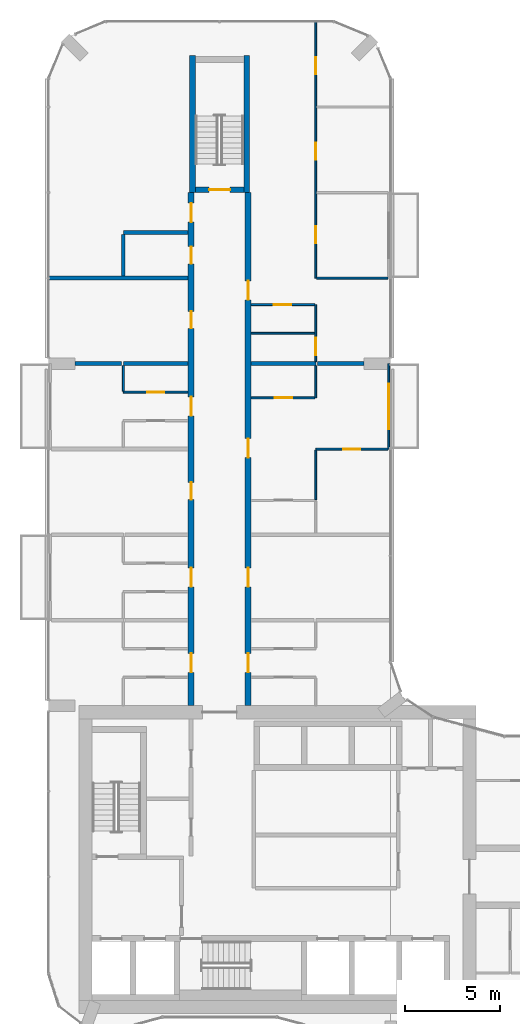
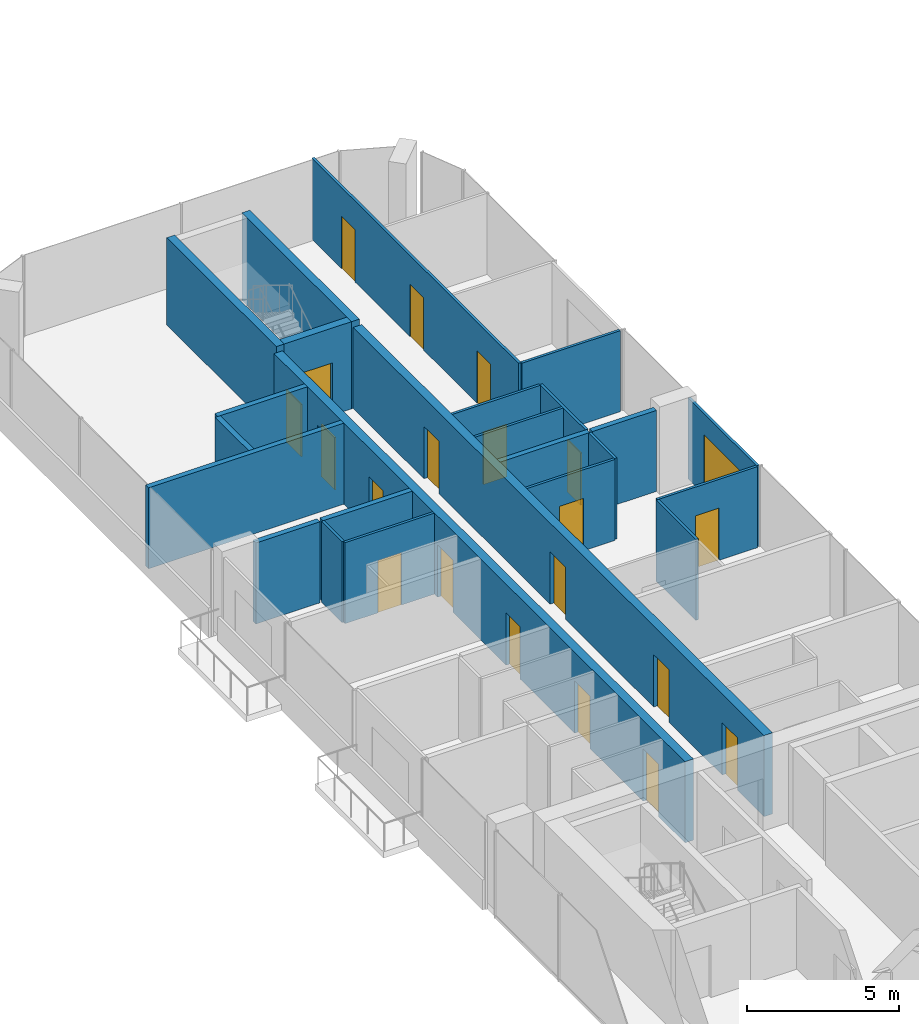
# One storey, part 16 of 23: 24 walls, 21 doors, 21 openings.
"""IFC4 building model written with IfcOpenShell, lengths in metres."""

from ifc_helpers import new_model, si_unit, direction, frame, frame_2d, origin, place, context, subcontext, project, spatial, rectangle, extrude, material, layer, layer_set, type_object, element, fill, save


model = new_model("IFC4")

# Units and contexts
model_context = context("Model", 3, precision=1e-05, world=origin(), true_north=direction((0.0, 1.0)))
body_context = subcontext(model_context, "Body", "Model", "MODEL_VIEW")
ifc_project = project(units=[si_unit("LENGTHUNIT", "METRE"), si_unit("AREAUNIT", "SQUARE_METRE"), si_unit("VOLUMEUNIT", "CUBIC_METRE"), si_unit("PLANEANGLEUNIT", "RADIAN"), si_unit("MASSUNIT", "GRAM", prefix="KILO")], contexts=[model_context])

# Site, building, storey
site_placement = place(None, origin())
site = spatial("IfcSite", under=ifc_project, at=site_placement, CompositionType="ELEMENT")
building_placement = place(site_placement, origin())
building = spatial("IfcBuilding", under=site, at=building_placement, Name="Plateau Cross Towers", CompositionType="ELEMENT")
storey_placement = place(building_placement, frame((0.0, 0.0, 92.300048828125)))
storey = spatial("IfcBuildingStorey", under=building, at=storey_placement, Name="L23", CompositionType="ELEMENT", Elevation=92.300048828125)

# Wall, opening, door
ifc_material_1 = material(Name="Aluminium framed glazing", Category="aluminium")
ifc_layer_1 = layer(ifc_material_1, 0.10009765625)
ifc_layer_set_1 = layer_set([ifc_layer_1], Name="Aluminium framed glazing")
wall_type_1 = type_object("IfcWallType", Name="Balcony screen wall 100", PredefinedType="STANDARD", material=ifc_layer_set_1)
wall_1_placement = place(storey_placement, frame((17.89990234375, 36.0, 0.0), z_axis=(0.0, 0.0, 1.0), x_axis=(0.0, -1.0, 0.0)))
wall_1 = element("IfcWall", 1, at=wall_1_placement, inside=storey, type_object=wall_type_1, Name="Balcony screen wall A-BAL-L23-03", PredefinedType="STANDARD", context=body_context, shape_type="SweptSolid", body=[
    extrude(rectangle(XDim=4.5, YDim=0.10009765625, at=frame_2d((2.25, 0.0))), origin(), (0.0, 0.0, 1.0), 3.25),
])
opening_1_placement = place(wall_1_placement, frame((1.050048828125, 0.0, 0.0)))
opening_1 = element("IfcOpeningElement", 2, at=opening_1_placement, cuts=wall_1, Name="Opening D-B24", PredefinedType="OPENING", context=body_context, shape_type="SweptSolid", body=[
    extrude(rectangle(XDim=2.39990234375, YDim=2.39990234375, at=frame_2d((1.199951171875, 1.199951171875))), frame((0.0, 0.06005859375, 0.0), z_axis=(0.0, -1.0, 0.0), x_axis=(1.0, 0.0, 0.0)), (0.0, 0.0, 1.0), 0.1201171875),
])
ifc_material_2 = material(Name="Aluminium frame, double glazing", Category="aluminium")
door_type_1 = type_object("IfcDoorType", Name="Balcony sliding door 2400", OperationType="NOTDEFINED", PredefinedType="DOOR", material=ifc_material_2)
door_1_placement = place(opening_1_placement, origin())
door_1 = element("IfcDoor", 3, at=door_1_placement, inside=storey, type_object=door_type_1, Name="Balcony door A-BAL-L23-03", OperationType="SINGLE_SWING_LEFT", OverallHeight=2.39990234375, OverallWidth=2.39990234375, PredefinedType="DOOR", context=body_context, shape_type="SweptSolid", body=[
    extrude(rectangle(XDim=2.39990234375, YDim=2.39990234375, at=frame_2d((1.199951171875, 1.199951171875))), frame((0.0, 0.02490234375, 0.0), z_axis=(0.0, -1.0, 0.0), x_axis=(1.0, 0.0, 0.0)), (0.0, 0.0, 1.0), 0.050048828125),
])
fill(opening_1, door_1)

# Wall, openings, doors
ifc_material_3 = material(Name="Concrete C60/75", Category="concrete")
ifc_layer_2 = layer(ifc_material_3, 0.324951171875)
ifc_layer_set_2 = layer_set([ifc_layer_2], Name="Concrete C60/75")
wall_type_2 = type_object("IfcWallType", Name="Corridor wall 325", PredefinedType="SHEAR", material=ifc_layer_set_2)
wall_2_placement = place(storey_placement, frame((7.5, 18.0, 0.0), z_axis=(0.0, 0.0, 1.0), x_axis=(0.0, 1.0, 0.0)))
wall_2 = element("IfcWall", 4, at=wall_2_placement, inside=storey, type_object=wall_type_2, Name="A-cw-W1@L23", PredefinedType="SHEAR", context=body_context, shape_type="SweptSolid", body=[
    extrude(rectangle(XDim=27.0, YDim=0.324951171875, at=frame_2d((13.5, 0.0))), origin(), (0.0, 0.0, 1.0), 3.25),
])
opening_2_placement = place(wall_2_placement, frame((1.75, 0.0, 0.0)))
opening_2 = element("IfcOpeningElement", 5, at=opening_2_placement, cuts=wall_2, Name="Opening 23-07", PredefinedType="OPENING", context=body_context, shape_type="SweptSolid", body=[
    extrude(rectangle(XDim=1.0, YDim=2.10009765625, at=frame_2d((0.5, 1.050048828125))), frame((0.0, 0.17236328125, 0.0), z_axis=(0.0, -1.0, 0.0), x_axis=(1.0, 0.0, 0.0)), (0.0, 0.0, 1.0), 0.344970703125),
])
opening_3_placement = place(wall_2_placement, frame((6.25, 0.0, 0.0)))
opening_3 = element("IfcOpeningElement", 6, at=opening_3_placement, cuts=wall_2, Name="Opening 23-08", PredefinedType="OPENING", context=body_context, shape_type="SweptSolid", body=[
    extrude(rectangle(XDim=1.0, YDim=2.10009765625, at=frame_2d((0.5, 1.050048828125))), frame((0.0, 0.17236328125, 0.0), z_axis=(0.0, -1.0, 0.0), x_axis=(1.0, 0.0, 0.0)), (0.0, 0.0, 1.0), 0.344970703125),
])
opening_4_placement = place(wall_2_placement, frame((10.85009765625, 0.0, 0.0)))
opening_4 = element("IfcOpeningElement", 7, at=opening_4_placement, cuts=wall_2, Name="Opening 23-09", PredefinedType="OPENING", context=body_context, shape_type="SweptSolid", body=[
    extrude(rectangle(XDim=0.89990234375, YDim=2.10009765625, at=frame_2d((0.449951171875, 1.050048828125))), frame((0.0, 0.17236328125, 0.0), z_axis=(0.0, -1.0, 0.0), x_axis=(1.0, 0.0, 0.0)), (0.0, 0.0, 1.0), 0.344970703125),
])
opening_5_placement = place(wall_2_placement, frame((15.25, 0.0, 0.0)))
opening_5 = element("IfcOpeningElement", 8, at=opening_5_placement, cuts=wall_2, Name="Opening 23-10", PredefinedType="OPENING", context=body_context, shape_type="SweptSolid", body=[
    extrude(rectangle(XDim=1.0, YDim=2.10009765625, at=frame_2d((0.5, 1.050048828125))), frame((0.0, 0.17236328125, 0.0), z_axis=(0.0, -1.0, 0.0), x_axis=(1.0, 0.0, 0.0)), (0.0, 0.0, 1.0), 0.344970703125),
])
opening_6_placement = place(wall_2_placement, frame((19.85009765625, 0.0, 0.0)))
opening_6 = element("IfcOpeningElement", 9, at=opening_6_placement, cuts=wall_2, Name="Opening 23-11", PredefinedType="OPENING", context=body_context, shape_type="SweptSolid", body=[
    extrude(rectangle(XDim=0.89990234375, YDim=2.10009765625, at=frame_2d((0.449951171875, 1.050048828125))), frame((0.0, 0.17236328125, 0.0), z_axis=(0.0, -1.0, 0.0), x_axis=(1.0, 0.0, 0.0)), (0.0, 0.0, 1.0), 0.344970703125),
])
opening_7_placement = place(wall_2_placement, frame((23.25, 0.0, 0.0)))
opening_7 = element("IfcOpeningElement", 10, at=opening_7_placement, cuts=wall_2, Name="Opening 23-12", PredefinedType="OPENING", context=body_context, shape_type="SweptSolid", body=[
    extrude(rectangle(XDim=0.89990234375, YDim=2.10009765625, at=frame_2d((0.449951171875, 1.050048828125))), frame((0.0, 0.17236328125, 0.0), z_axis=(0.0, -1.0, 0.0), x_axis=(1.0, 0.0, 0.0)), (0.0, 0.0, 1.0), 0.344970703125),
])
opening_8_placement = place(wall_2_placement, frame((25.449951171875, 0.0, 0.0)))
opening_8 = element("IfcOpeningElement", 11, at=opening_8_placement, cuts=wall_2, Name="Opening 23-13", PredefinedType="OPENING", context=body_context, shape_type="SweptSolid", body=[
    extrude(rectangle(XDim=1.0, YDim=2.10009765625, at=frame_2d((0.5, 1.050048828125))), frame((0.0, 0.17236328125, 0.0), z_axis=(0.0, -1.0, 0.0), x_axis=(1.0, 0.0, 0.0)), (0.0, 0.0, 1.0), 0.344970703125),
])
ifc_material_4 = material(Name="Timber, fire-resisting leaf", Category="wood")
door_type_2 = type_object("IfcDoorType", Name="Flat entrance door 1000", OperationType="NOTDEFINED", PredefinedType="DOOR", material=ifc_material_4)
door_2_placement = place(opening_2_placement, origin())
door_2 = element("IfcDoor", 12, at=door_2_placement, inside=storey, type_object=door_type_2, Name="Door 23-07", OperationType="SINGLE_SWING_LEFT", OverallHeight=2.10009765625, OverallWidth=1.0, PredefinedType="DOOR", context=body_context, shape_type="SweptSolid", body=[
    extrude(rectangle(XDim=1.0, YDim=2.10009765625, at=frame_2d((0.5, 1.050048828125))), frame((0.0, 0.02490234375, 0.0), z_axis=(0.0, -1.0, 0.0), x_axis=(1.0, 0.0, 0.0)), (0.0, 0.0, 1.0), 0.050048828125),
])
fill(opening_2, door_2)
door_3_placement = place(opening_3_placement, origin())
door_3 = element("IfcDoor", 13, at=door_3_placement, inside=storey, type_object=door_type_2, Name="Door 23-08", OperationType="SINGLE_SWING_LEFT", OverallHeight=2.10009765625, OverallWidth=1.0, PredefinedType="DOOR", context=body_context, shape_type="SweptSolid", body=[
    extrude(rectangle(XDim=1.0, YDim=2.10009765625, at=frame_2d((0.5, 1.050048828125))), frame((0.0, 0.02490234375, 0.0), z_axis=(0.0, -1.0, 0.0), x_axis=(1.0, 0.0, 0.0)), (0.0, 0.0, 1.0), 0.050048828125),
])
fill(opening_3, door_3)
door_4_placement = place(opening_5_placement, origin())
door_4 = element("IfcDoor", 14, at=door_4_placement, inside=storey, type_object=door_type_2, Name="Door 23-10", OperationType="SINGLE_SWING_RIGHT", OverallHeight=2.10009765625, OverallWidth=1.0, PredefinedType="DOOR", context=body_context, shape_type="SweptSolid", body=[
    extrude(rectangle(XDim=1.0, YDim=2.10009765625, at=frame_2d((0.5, 1.050048828125))), frame((0.0, 0.02490234375, 0.0), z_axis=(0.0, -1.0, 0.0), x_axis=(1.0, 0.0, 0.0)), (0.0, 0.0, 1.0), 0.050048828125),
])
fill(opening_5, door_4)
door_5_placement = place(opening_8_placement, origin())
door_5 = element("IfcDoor", 15, at=door_5_placement, inside=storey, type_object=door_type_2, Name="Door 23-13", OperationType="SINGLE_SWING_RIGHT", OverallHeight=2.10009765625, OverallWidth=1.0, PredefinedType="DOOR", context=body_context, shape_type="SweptSolid", body=[
    extrude(rectangle(XDim=1.0, YDim=2.10009765625, at=frame_2d((0.5, 1.050048828125))), frame((0.0, 0.02490234375, 0.0), z_axis=(0.0, -1.0, 0.0), x_axis=(1.0, 0.0, 0.0)), (0.0, 0.0, 1.0), 0.050048828125),
])
fill(opening_8, door_5)
door_type_3 = type_object("IfcDoorType", Name="Flat floor service door 900", OperationType="NOTDEFINED", PredefinedType="DOOR", material=ifc_material_4)
door_6_placement = place(opening_4_placement, origin())
door_6 = element("IfcDoor", 16, at=door_6_placement, inside=storey, type_object=door_type_3, Name="Door 23-09", OperationType="SINGLE_SWING_LEFT", OverallHeight=2.10009765625, OverallWidth=0.89990234375, PredefinedType="DOOR", context=body_context, shape_type="SweptSolid", body=[
    extrude(rectangle(XDim=0.89990234375, YDim=2.10009765625, at=frame_2d((0.449951171875, 1.050048828125))), frame((0.0, 0.02490234375, 0.0), z_axis=(0.0, -1.0, 0.0), x_axis=(1.0, 0.0, 0.0)), (0.0, 0.0, 1.0), 0.050048828125),
])
fill(opening_4, door_6)
door_7_placement = place(opening_6_placement, origin())
door_7 = element("IfcDoor", 17, at=door_7_placement, inside=storey, type_object=door_type_3, Name="Door 23-11", OperationType="SINGLE_SWING_RIGHT", OverallHeight=2.10009765625, OverallWidth=0.89990234375, PredefinedType="DOOR", context=body_context, shape_type="SweptSolid", body=[
    extrude(rectangle(XDim=0.89990234375, YDim=2.10009765625, at=frame_2d((0.449951171875, 1.050048828125))), frame((0.0, 0.02490234375, 0.0), z_axis=(0.0, -1.0, 0.0), x_axis=(1.0, 0.0, 0.0)), (0.0, 0.0, 1.0), 0.050048828125),
])
fill(opening_6, door_7)
door_8_placement = place(opening_7_placement, origin())
door_8 = element("IfcDoor", 18, at=door_8_placement, inside=storey, type_object=door_type_3, Name="Door 23-12", OperationType="SINGLE_SWING_RIGHT", OverallHeight=2.10009765625, OverallWidth=0.89990234375, PredefinedType="DOOR", context=body_context, shape_type="SweptSolid", body=[
    extrude(rectangle(XDim=0.89990234375, YDim=2.10009765625, at=frame_2d((0.449951171875, 1.050048828125))), frame((0.0, 0.02490234375, 0.0), z_axis=(0.0, -1.0, 0.0), x_axis=(1.0, 0.0, 0.0)), (0.0, 0.0, 1.0), 0.050048828125),
])
fill(opening_7, door_8)

wall_3_placement = place(storey_placement, frame((10.5, 18.0, 0.0), z_axis=(0.0, 0.0, 1.0), x_axis=(0.0, 1.0, 0.0)))
wall_3 = element("IfcWall", 19, at=wall_3_placement, inside=storey, type_object=wall_type_2, Name="A-cw-W2@L23", PredefinedType="SHEAR", context=body_context, shape_type="SweptSolid", body=[
    extrude(rectangle(XDim=27.0, YDim=0.324951171875, at=frame_2d((13.5, 0.0))), origin(), (0.0, 0.0, 1.0), 3.25),
])
opening_9_placement = place(wall_3_placement, frame((1.75, 0.0, 0.0)))
opening_9 = element("IfcOpeningElement", 20, at=opening_9_placement, cuts=wall_3, Name="Opening 23-14", PredefinedType="OPENING", context=body_context, shape_type="SweptSolid", body=[
    extrude(rectangle(XDim=1.0, YDim=2.10009765625, at=frame_2d((0.5, 1.050048828125))), frame((0.0, 0.17236328125, 0.0), z_axis=(0.0, -1.0, 0.0), x_axis=(1.0, 0.0, 0.0)), (0.0, 0.0, 1.0), 0.344970703125),
])
opening_10_placement = place(wall_3_placement, frame((6.25, 0.0, 0.0)))
opening_10 = element("IfcOpeningElement", 21, at=opening_10_placement, cuts=wall_3, Name="Opening 23-15", PredefinedType="OPENING", context=body_context, shape_type="SweptSolid", body=[
    extrude(rectangle(XDim=1.0, YDim=2.10009765625, at=frame_2d((0.5, 1.050048828125))), frame((0.0, 0.17236328125, 0.0), z_axis=(0.0, -1.0, 0.0), x_axis=(1.0, 0.0, 0.0)), (0.0, 0.0, 1.0), 0.344970703125),
])
opening_11_placement = place(wall_3_placement, frame((13.050048828125, 0.0, 0.0)))
opening_11 = element("IfcOpeningElement", 22, at=opening_11_placement, cuts=wall_3, Name="Opening 23-16", PredefinedType="OPENING", context=body_context, shape_type="SweptSolid", body=[
    extrude(rectangle(XDim=1.0, YDim=2.10009765625, at=frame_2d((0.5, 1.050048828125))), frame((0.0, 0.17236328125, 0.0), z_axis=(0.0, -1.0, 0.0), x_axis=(1.0, 0.0, 0.0)), (0.0, 0.0, 1.0), 0.344970703125),
])
opening_12_placement = place(wall_3_placement, frame((21.35009765625, 0.0, 0.0)))
opening_12 = element("IfcOpeningElement", 23, at=opening_12_placement, cuts=wall_3, Name="Opening 23-17", PredefinedType="OPENING", context=body_context, shape_type="SweptSolid", body=[
    extrude(rectangle(XDim=1.0, YDim=2.10009765625, at=frame_2d((0.5, 1.050048828125))), frame((0.0, 0.17236328125, 0.0), z_axis=(0.0, -1.0, 0.0), x_axis=(1.0, 0.0, 0.0)), (0.0, 0.0, 1.0), 0.344970703125),
])
door_9_placement = place(opening_9_placement, origin())
door_9 = element("IfcDoor", 24, at=door_9_placement, inside=storey, type_object=door_type_2, Name="Door 23-14", OperationType="SINGLE_SWING_LEFT", OverallHeight=2.10009765625, OverallWidth=1.0, PredefinedType="DOOR", context=body_context, shape_type="SweptSolid", body=[
    extrude(rectangle(XDim=1.0, YDim=2.10009765625, at=frame_2d((0.5, 1.050048828125))), frame((0.0, 0.02490234375, 0.0), z_axis=(0.0, -1.0, 0.0), x_axis=(1.0, 0.0, 0.0)), (0.0, 0.0, 1.0), 0.050048828125),
])
fill(opening_9, door_9)
door_10_placement = place(opening_10_placement, origin())
door_10 = element("IfcDoor", 25, at=door_10_placement, inside=storey, type_object=door_type_2, Name="Door 23-15", OperationType="SINGLE_SWING_LEFT", OverallHeight=2.10009765625, OverallWidth=1.0, PredefinedType="DOOR", context=body_context, shape_type="SweptSolid", body=[
    extrude(rectangle(XDim=1.0, YDim=2.10009765625, at=frame_2d((0.5, 1.050048828125))), frame((0.0, 0.02490234375, 0.0), z_axis=(0.0, -1.0, 0.0), x_axis=(1.0, 0.0, 0.0)), (0.0, 0.0, 1.0), 0.050048828125),
])
fill(opening_10, door_10)
door_11_placement = place(opening_11_placement, origin())
door_11 = element("IfcDoor", 26, at=door_11_placement, inside=storey, type_object=door_type_2, Name="Door 23-16", OperationType="SINGLE_SWING_RIGHT", OverallHeight=2.10009765625, OverallWidth=1.0, PredefinedType="DOOR", context=body_context, shape_type="SweptSolid", body=[
    extrude(rectangle(XDim=1.0, YDim=2.10009765625, at=frame_2d((0.5, 1.050048828125))), frame((0.0, 0.02490234375, 0.0), z_axis=(0.0, -1.0, 0.0), x_axis=(1.0, 0.0, 0.0)), (0.0, 0.0, 1.0), 0.050048828125),
])
fill(opening_11, door_11)
door_12_placement = place(opening_12_placement, origin())
door_12 = element("IfcDoor", 27, at=door_12_placement, inside=storey, type_object=door_type_2, Name="Door 23-17", OperationType="SINGLE_SWING_RIGHT", OverallHeight=2.10009765625, OverallWidth=1.0, PredefinedType="DOOR", context=body_context, shape_type="SweptSolid", body=[
    extrude(rectangle(XDim=1.0, YDim=2.10009765625, at=frame_2d((0.5, 1.050048828125))), frame((0.0, 0.02490234375, 0.0), z_axis=(0.0, -1.0, 0.0), x_axis=(1.0, 0.0, 0.0)), (0.0, 0.0, 1.0), 0.050048828125),
])
fill(opening_12, door_12)

# Wall, opening, door
ifc_material_5 = material(Name="Gypsum board on steel studs", Category="steel")
ifc_layer_3 = layer(ifc_material_5, 0.10009765625)
ifc_layer_set_3 = layer_set([ifc_layer_3], Name="Gypsum board on steel studs")
wall_type_3 = type_object("IfcWallType", Name="Flat partition 100", PredefinedType="PARTITIONING", material=ifc_layer_set_3)
wall_4_placement = place(storey_placement, frame((17.85009765625, 31.5, 0.0), z_axis=(0.0, 0.0, 1.0), x_axis=(-1.0, 0.0, 0.0)))
wall_4 = element("IfcWall", 28, at=wall_4_placement, inside=storey, type_object=wall_type_3, Name="Partition wall", PredefinedType="PARTITIONING", context=body_context, shape_type="SweptSolid", body=[
    extrude(rectangle(XDim=3.78759765625, YDim=0.10009765625, at=frame_2d((1.893798828125, 0.0))), origin(), (0.0, 0.0, 1.0), 3.25),
])
opening_13_placement = place(wall_4_placement, frame((1.449951171875, 0.0, 0.0)))
opening_13 = element("IfcOpeningElement", 29, at=opening_13_placement, cuts=wall_4, Name="Opening 23-43", PredefinedType="OPENING", context=body_context, shape_type="SweptSolid", body=[
    extrude(rectangle(XDim=0.89990234375, YDim=2.10009765625, at=frame_2d((0.449951171875, 1.050048828125))), frame((0.0, 0.06005859375, 0.0), z_axis=(0.0, -1.0, 0.0), x_axis=(1.0, 0.0, 0.0)), (0.0, 0.0, 1.0), 0.1201171875),
])
ifc_material_6 = material(Name="Timber leaf", Category="wood")
door_type_4 = type_object("IfcDoorType", Name="Flat room door 900", OperationType="NOTDEFINED", PredefinedType="DOOR", material=ifc_material_6)
door_13_placement = place(opening_13_placement, origin())
door_13 = element("IfcDoor", 30, at=door_13_placement, inside=storey, type_object=door_type_4, Name="Door 23-43", OperationType="SINGLE_SWING_RIGHT", OverallHeight=2.10009765625, OverallWidth=0.89990234375, PredefinedType="DOOR", context=body_context, shape_type="SweptSolid", body=[
    extrude(rectangle(XDim=0.89990234375, YDim=2.10009765625, at=frame_2d((0.449951171875, 1.050048828125))), frame((0.0, 0.02490234375, 0.0), z_axis=(0.0, -1.0, 0.0), x_axis=(1.0, 0.0, 0.0)), (0.0, 0.0, 1.0), 0.050048828125),
])
fill(opening_13, door_13)

wall_5_placement = place(storey_placement, frame((10.66259765625, 34.199951171875, 0.0), z_axis=(0.0, 0.0, 1.0), x_axis=(1.0, 0.0, 0.0)))
wall_5 = element("IfcWall", 31, at=wall_5_placement, inside=storey, type_object=wall_type_3, Name="Partition wall", PredefinedType="PARTITIONING", context=body_context, shape_type="SweptSolid", body=[
    extrude(rectangle(XDim=3.349853515625, YDim=0.10009765625, at=frame_2d((1.6748046875, 0.0))), origin(), (0.0, 0.0, 1.0), 3.25),
])
opening_14_placement = place(wall_5_placement, frame((1.25, 0.0, 0.0)))
opening_14 = element("IfcOpeningElement", 32, at=opening_14_placement, cuts=wall_5, Name="Opening 23-42", PredefinedType="OPENING", context=body_context, shape_type="SweptSolid", body=[
    extrude(rectangle(XDim=0.89990234375, YDim=2.10009765625, at=frame_2d((0.449951171875, 1.050048828125))), frame((0.0, 0.06005859375, 0.0), z_axis=(0.0, -1.0, 0.0), x_axis=(1.0, 0.0, 0.0)), (0.0, 0.0, 1.0), 0.1201171875),
])
door_14_placement = place(opening_14_placement, origin())
door_14 = element("IfcDoor", 33, at=door_14_placement, inside=storey, type_object=door_type_4, Name="Door 23-42", OperationType="SINGLE_SWING_RIGHT", OverallHeight=2.10009765625, OverallWidth=0.89990234375, PredefinedType="DOOR", context=body_context, shape_type="SweptSolid", body=[
    extrude(rectangle(XDim=0.89990234375, YDim=2.10009765625, at=frame_2d((0.449951171875, 1.050048828125))), frame((0.0, 0.02490234375, 0.0), z_axis=(0.0, -1.0, 0.0), x_axis=(1.0, 0.0, 0.0)), (0.0, 0.0, 1.0), 0.050048828125),
])
fill(opening_14, door_14)

wall_6_placement = place(storey_placement, frame((3.9375, 34.5, 0.0), z_axis=(0.0, 0.0, 1.0), x_axis=(1.0, 0.0, 0.0)))
wall_6 = element("IfcWall", 34, at=wall_6_placement, inside=storey, type_object=wall_type_3, Name="Partition wall", PredefinedType="PARTITIONING", context=body_context, shape_type="SweptSolid", body=[
    extrude(rectangle(XDim=3.39990234375, YDim=0.10009765625, at=frame_2d((1.699951171875, 0.0))), origin(), (0.0, 0.0, 1.0), 3.25),
])
opening_15_placement = place(wall_6_placement, frame((1.25, 0.0, 0.0)))
opening_15 = element("IfcOpeningElement", 35, at=opening_15_placement, cuts=wall_6, Name="Opening 23-38", PredefinedType="OPENING", context=body_context, shape_type="SweptSolid", body=[
    extrude(rectangle(XDim=0.89990234375, YDim=2.10009765625, at=frame_2d((0.449951171875, 1.050048828125))), frame((0.0, 0.06005859375, 0.0), z_axis=(0.0, -1.0, 0.0), x_axis=(1.0, 0.0, 0.0)), (0.0, 0.0, 1.0), 0.1201171875),
])
door_15_placement = place(opening_15_placement, origin())
door_15 = element("IfcDoor", 36, at=door_15_placement, inside=storey, type_object=door_type_4, Name="Door 23-38", OperationType="SINGLE_SWING_LEFT", OverallHeight=2.10009765625, OverallWidth=0.89990234375, PredefinedType="DOOR", context=body_context, shape_type="SweptSolid", body=[
    extrude(rectangle(XDim=0.89990234375, YDim=2.10009765625, at=frame_2d((0.449951171875, 1.050048828125))), frame((0.0, 0.02490234375, 0.0), z_axis=(0.0, -1.0, 0.0), x_axis=(1.0, 0.0, 0.0)), (0.0, 0.0, 1.0), 0.050048828125),
])
fill(opening_15, door_15)

# Wall
wall_7_placement = place(storey_placement, frame((14.012451171875, 37.60009765625, 0.0), z_axis=(0.0, 0.0, 1.0), x_axis=(-1.0, 0.0, 0.0)))
element("IfcWall", 37, at=wall_7_placement, inside=storey, type_object=wall_type_3, Name="Partition wall", PredefinedType="PARTITIONING", context=body_context, shape_type="SweptSolid", body=[
    extrude(rectangle(XDim=3.349853515625, YDim=0.10009765625, at=frame_2d((1.6748046875, 0.0))), origin(), (0.0, 0.0, 1.0), 3.25),
])

# Wall, opening, door
wall_8_placement = place(storey_placement, frame((14.012451171875, 39.10009765625, 0.0), z_axis=(0.0, 0.0, 1.0), x_axis=(-1.0, 0.0, 0.0)))
wall_8 = element("IfcWall", 38, at=wall_8_placement, inside=storey, type_object=wall_type_3, Name="Partition wall", PredefinedType="PARTITIONING", context=body_context, shape_type="SweptSolid", body=[
    extrude(rectangle(XDim=3.349853515625, YDim=0.10009765625, at=frame_2d((1.6748046875, 0.0))), origin(), (0.0, 0.0, 1.0), 3.25),
])
opening_16_placement = place(wall_8_placement, frame((1.25, 0.0, 0.0)))
opening_16 = element("IfcOpeningElement", 39, at=opening_16_placement, cuts=wall_8, Name="Opening 23-45", PredefinedType="OPENING", context=body_context, shape_type="SweptSolid", body=[
    extrude(rectangle(XDim=0.89990234375, YDim=2.10009765625, at=frame_2d((0.449951171875, 1.050048828125))), frame((0.0, 0.06005859375, 0.0), z_axis=(0.0, -1.0, 0.0), x_axis=(1.0, 0.0, 0.0)), (0.0, 0.0, 1.0), 0.1201171875),
])
door_16_placement = place(opening_16_placement, origin())
door_16 = element("IfcDoor", 40, at=door_16_placement, inside=storey, type_object=door_type_4, Name="Door 23-45", OperationType="SINGLE_SWING_RIGHT", OverallHeight=2.10009765625, OverallWidth=0.89990234375, PredefinedType="DOOR", context=body_context, shape_type="SweptSolid", body=[
    extrude(rectangle(XDim=0.89990234375, YDim=2.10009765625, at=frame_2d((0.449951171875, 1.050048828125))), frame((0.0, 0.02490234375, 0.0), z_axis=(0.0, -1.0, 0.0), x_axis=(1.0, 0.0, 0.0)), (0.0, 0.0, 1.0), 0.050048828125),
])
fill(opening_16, door_16)

# Walls
wall_9_placement = place(storey_placement, frame((14.112548828125, 40.5, 0.0), z_axis=(0.0, 0.0, 1.0), x_axis=(1.0, 0.0, 0.0)))
element("IfcWall", 41, at=wall_9_placement, inside=storey, type_object=wall_type_3, Name="Partition wall", PredefinedType="PARTITIONING", context=body_context, shape_type="SweptSolid", body=[
    extrude(rectangle(XDim=3.737548828125, YDim=0.10009765625, at=frame_2d((1.86865234375, 0.0))), origin(), (0.0, 0.0, 1.0), 3.25),
])
wall_10_placement = place(storey_placement, frame((3.9375, 35.89990234375, 0.0), z_axis=(0.0, 0.0, 1.0), x_axis=(0.0, -1.0, 0.0)))
element("IfcWall", 42, at=wall_10_placement, inside=storey, type_object=wall_type_3, Name="Partition wall", PredefinedType="PARTITIONING", context=body_context, shape_type="SweptSolid", body=[
    extrude(rectangle(XDim=1.349853515625, YDim=0.10009765625, at=frame_2d((0.6748046875, 0.0))), origin(), (0.0, 0.0, 1.0), 3.25),
])
wall_11_placement = place(storey_placement, frame((14.0625, 31.449951171875, 0.0), z_axis=(0.0, 0.0, 1.0), x_axis=(0.0, -1.0, 0.0)))
element("IfcWall", 43, at=wall_11_placement, inside=storey, type_object=wall_type_3, Name="Partition wall", PredefinedType="PARTITIONING", context=body_context, shape_type="SweptSolid", body=[
    extrude(rectangle(XDim=2.599853515625, YDim=0.10009765625, at=frame_2d((1.2998046875, 0.0))), origin(), (0.0, 0.0, 1.0), 3.25),
])

# Wall, openings, doors
wall_12_placement = place(storey_placement, frame((14.0625, 54.080078125, 0.0), z_axis=(0.0, 0.0, 1.0), x_axis=(0.0, -1.0, 0.0)))
wall_12 = element("IfcWall", 44, at=wall_12_placement, inside=storey, type_object=wall_type_3, Name="Partition wall", PredefinedType="PARTITIONING", context=body_context, shape_type="SweptSolid", body=[
    extrude(rectangle(XDim=13.580078125, YDim=0.10009765625, at=frame_2d((6.7900390625, 0.0))), origin(), (0.0, 0.0, 1.0), 3.25),
])
opening_17_placement = place(wall_12_placement, frame((10.85009765625, 0.0, 0.0)))
opening_17 = element("IfcOpeningElement", 45, at=opening_17_placement, cuts=wall_12, Name="Opening 23-46", PredefinedType="OPENING", context=body_context, shape_type="SweptSolid", body=[
    extrude(rectangle(XDim=0.89990234375, YDim=2.10009765625, at=frame_2d((0.449951171875, 1.050048828125))), frame((0.0, 0.06005859375, 0.0), z_axis=(0.0, -1.0, 0.0), x_axis=(1.0, 0.0, 0.0)), (0.0, 0.0, 1.0), 0.1201171875),
])
opening_18_placement = place(wall_12_placement, frame((6.449951171875, 0.0, 0.0)))
opening_18 = element("IfcOpeningElement", 46, at=opening_18_placement, cuts=wall_12, Name="Opening 23-47", PredefinedType="OPENING", context=body_context, shape_type="SweptSolid", body=[
    extrude(rectangle(XDim=0.89990234375, YDim=2.10009765625, at=frame_2d((0.449951171875, 1.050048828125))), frame((0.0, 0.06005859375, 0.0), z_axis=(0.0, -1.0, 0.0), x_axis=(1.0, 0.0, 0.0)), (0.0, 0.0, 1.0), 0.1201171875),
])
opening_19_placement = place(wall_12_placement, frame((1.949951171875, 0.0, 0.0)))
opening_19 = element("IfcOpeningElement", 47, at=opening_19_placement, cuts=wall_12, Name="Opening 23-48", PredefinedType="OPENING", context=body_context, shape_type="SweptSolid", body=[
    extrude(rectangle(XDim=0.89990234375, YDim=2.10009765625, at=frame_2d((0.449951171875, 1.050048828125))), frame((0.0, 0.06005859375, 0.0), z_axis=(0.0, -1.0, 0.0), x_axis=(1.0, 0.0, 0.0)), (0.0, 0.0, 1.0), 0.1201171875),
])
door_17_placement = place(opening_17_placement, origin())
door_17 = element("IfcDoor", 48, at=door_17_placement, inside=storey, type_object=door_type_4, Name="Door 23-46", OperationType="SINGLE_SWING_RIGHT", OverallHeight=2.10009765625, OverallWidth=0.89990234375, PredefinedType="DOOR", context=body_context, shape_type="SweptSolid", body=[
    extrude(rectangle(XDim=0.89990234375, YDim=2.10009765625, at=frame_2d((0.449951171875, 1.050048828125))), frame((0.0, 0.02490234375, 0.0), z_axis=(0.0, -1.0, 0.0), x_axis=(1.0, 0.0, 0.0)), (0.0, 0.0, 1.0), 0.050048828125),
])
fill(opening_17, door_17)
door_18_placement = place(opening_18_placement, origin())
door_18 = element("IfcDoor", 49, at=door_18_placement, inside=storey, type_object=door_type_4, Name="Door 23-47", OperationType="SINGLE_SWING_RIGHT", OverallHeight=2.10009765625, OverallWidth=0.89990234375, PredefinedType="DOOR", context=body_context, shape_type="SweptSolid", body=[
    extrude(rectangle(XDim=0.89990234375, YDim=2.10009765625, at=frame_2d((0.449951171875, 1.050048828125))), frame((0.0, 0.02490234375, 0.0), z_axis=(0.0, -1.0, 0.0), x_axis=(1.0, 0.0, 0.0)), (0.0, 0.0, 1.0), 0.050048828125),
])
fill(opening_18, door_18)
door_19_placement = place(opening_19_placement, origin())
door_19 = element("IfcDoor", 50, at=door_19_placement, inside=storey, type_object=door_type_4, Name="Door 23-48", OperationType="SINGLE_SWING_LEFT", OverallHeight=2.10009765625, OverallWidth=0.89990234375, PredefinedType="DOOR", context=body_context, shape_type="SweptSolid", body=[
    extrude(rectangle(XDim=0.89990234375, YDim=2.10009765625, at=frame_2d((0.449951171875, 1.050048828125))), frame((0.0, 0.02490234375, 0.0), z_axis=(0.0, -1.0, 0.0), x_axis=(1.0, 0.0, 0.0)), (0.0, 0.0, 1.0), 0.050048828125),
])
fill(opening_19, door_19)

# Wall
wall_13_placement = place(storey_placement, frame((14.0625, 34.199951171875, 0.0), z_axis=(0.0, 0.0, 1.0), x_axis=(0.0, 1.0, 0.0)))
element("IfcWall", 51, at=wall_13_placement, inside=storey, type_object=wall_type_3, Name="Partition wall", PredefinedType="PARTITIONING", context=body_context, shape_type="SweptSolid", body=[
    extrude(rectangle(XDim=1.699951171875, YDim=0.10009765625, at=frame_2d((0.85009765625, 0.0))), origin(), (0.0, 0.0, 1.0), 3.25),
])

# Wall, opening, door
wall_14_placement = place(storey_placement, frame((14.0625, 36.10009765625, 0.0), z_axis=(0.0, 0.0, 1.0), x_axis=(0.0, 1.0, 0.0)))
wall_14 = element("IfcWall", 52, at=wall_14_placement, inside=storey, type_object=wall_type_3, Name="Partition wall", PredefinedType="PARTITIONING", context=body_context, shape_type="SweptSolid", body=[
    extrude(rectangle(XDim=3.0, YDim=0.10009765625, at=frame_2d((1.5, 0.0))), origin(), (0.0, 0.0, 1.0), 3.25),
])
opening_20_placement = place(wall_14_placement, frame((0.35009765625, 0.0, 0.0)))
opening_20 = element("IfcOpeningElement", 53, at=opening_20_placement, cuts=wall_14, Name="Opening 23-44", PredefinedType="OPENING", context=body_context, shape_type="SweptSolid", body=[
    extrude(rectangle(XDim=0.89990234375, YDim=2.10009765625, at=frame_2d((0.449951171875, 1.050048828125))), frame((0.0, 0.06005859375, 0.0), z_axis=(0.0, -1.0, 0.0), x_axis=(1.0, 0.0, 0.0)), (0.0, 0.0, 1.0), 0.1201171875),
])
door_20_placement = place(opening_20_placement, origin())
door_20 = element("IfcDoor", 54, at=door_20_placement, inside=storey, type_object=door_type_4, Name="Door 23-44", OperationType="SINGLE_SWING_LEFT", OverallHeight=2.10009765625, OverallWidth=0.89990234375, PredefinedType="DOOR", context=body_context, shape_type="SweptSolid", body=[
    extrude(rectangle(XDim=0.89990234375, YDim=2.10009765625, at=frame_2d((0.449951171875, 1.050048828125))), frame((0.0, 0.02490234375, 0.0), z_axis=(0.0, -1.0, 0.0), x_axis=(1.0, 0.0, 0.0)), (0.0, 0.0, 1.0), 0.050048828125),
])
fill(opening_20, door_20)

# Walls
ifc_material_7 = material(Name="Gypsum board on steel studs, two layers each side", Category="steel")
ifc_layer_4 = layer(ifc_material_7, 0.199951171875)
ifc_layer_set_4 = layer_set([ifc_layer_4], Name="Gypsum board on steel studs, two layers each side")
wall_type_4 = type_object("IfcWallType", Name="Flat party wall 200", PredefinedType="PARTITIONING", material=ifc_layer_set_4)
for number, where, z_axis, x_axis, name in (
    (55, (7.33740234375, 36.0, 0.0), (0.0, 0.0, 1.0), (-1.0, 0.0, 0.0), "Party wall"),
    (56, (14.0625, 36.0, 0.0), (0.0, 0.0, 1.0), (-1.0, 0.0, 0.0), "Party wall"),
):
    element("IfcWall", number, at=place(storey_placement, frame(where, z_axis=z_axis, x_axis=x_axis)), inside=storey, type_object=wall_type_4, Name=name, PredefinedType="PARTITIONING", context=body_context, shape_type="SweptSolid", body=[
        extrude(rectangle(XDim=3.39990234375, YDim=0.199951171875, at=frame_2d((1.699951171875, 0.0))), origin(), (0.0, 0.0, 1.0), 3.25),
    ])
for number, where, z_axis, x_axis, name in (
    (57, (1.39990234375, 36.0, 0.0), (0.0, 0.0, 1.0), (1.0, 0.0, 0.0), "Party wall"),
    (58, (14.16259765625, 36.0, 0.0), (0.0, 0.0, 1.0), (1.0, 0.0, 0.0), "Party wall"),
):
    element("IfcWall", number, at=place(storey_placement, frame(where, z_axis=z_axis, x_axis=x_axis)), inside=storey, type_object=wall_type_4, Name=name, PredefinedType="PARTITIONING", context=body_context, shape_type="SweptSolid", body=[
        extrude(rectangle(XDim=2.4375, YDim=0.199951171875, at=frame_2d((1.21875, 0.0))), origin(), (0.0, 0.0, 1.0), 3.25),
    ])
wall_15_placement = place(storey_placement, frame((7.33740234375, 40.5, 0.0), z_axis=(0.0, 0.0, 1.0), x_axis=(-1.0, 0.0, 0.0)))
element("IfcWall", 59, at=wall_15_placement, inside=storey, type_object=wall_type_4, Name="Party wall", PredefinedType="PARTITIONING", context=body_context, shape_type="SweptSolid", body=[
    extrude(rectangle(XDim=7.41748046875, YDim=0.199951171875, at=frame_2d((3.708740234375, 0.0))), origin(), (0.0, 0.0, 1.0), 3.25),
])
wall_16_placement = place(storey_placement, frame((7.33740234375, 42.89990234375, 0.0), z_axis=(0.0, 0.0, 1.0), x_axis=(-1.0, 0.0, 0.0)))
element("IfcWall", 60, at=wall_16_placement, inside=storey, type_object=wall_type_4, Name="Party wall", PredefinedType="PARTITIONING", context=body_context, shape_type="SweptSolid", body=[
    extrude(rectangle(XDim=3.39990234375, YDim=0.199951171875, at=frame_2d((1.699951171875, 0.0))), origin(), (0.0, 0.0, 1.0), 3.25),
])
wall_17_placement = place(storey_placement, frame((3.9375, 42.800048828125, 0.0), z_axis=(0.0, 0.0, 1.0), x_axis=(0.0, -1.0, 0.0)))
element("IfcWall", 61, at=wall_17_placement, inside=storey, type_object=wall_type_4, Name="Party wall", PredefinedType="PARTITIONING", context=body_context, shape_type="SweptSolid", body=[
    extrude(rectangle(XDim=2.199951171875, YDim=0.199951171875, at=frame_2d((1.10009765625, 0.0))), origin(), (0.0, 0.0, 1.0), 3.25),
])

# Wall, opening, door
ifc_layer_5 = layer(ifc_material_3, 0.300048828125)
ifc_layer_set_5 = layer_set([ifc_layer_5], Name="Concrete C60/75")
wall_type_5 = type_object("IfcWallType", Name="Stair tower wall 300", PredefinedType="SHEAR", material=ifc_layer_set_5)
wall_18_placement = place(storey_placement, frame((7.72509765625, 45.14990234375, 0.0), z_axis=(0.0, 0.0, 1.0), x_axis=(1.0, 0.0, 0.0)))
wall_18 = element("IfcWall", 62, at=wall_18_placement, inside=storey, type_object=wall_type_5, Name="A-end-N-S@L23", PredefinedType="SHEAR", context=body_context, shape_type="SweptSolid", body=[
    extrude(rectangle(XDim=2.5498046875, YDim=0.300048828125, at=frame_2d((1.27490234375, 0.0))), origin(), (0.0, 0.0, 1.0), 3.5),
])
opening_21_placement = place(wall_18_placement, frame((0.72509765625, 0.0, 0.0)))
opening_21 = element("IfcOpeningElement", 63, at=opening_21_placement, cuts=wall_18, Name="Opening SD", PredefinedType="OPENING", context=body_context, shape_type="SweptSolid", body=[
    extrude(rectangle(XDim=1.10009765625, YDim=2.10009765625, at=frame_2d((0.550048828125, 1.050048828125))), frame((0.0, 0.159912109375, 0.0), z_axis=(0.0, -1.0, 0.0), x_axis=(1.0, 0.0, 0.0)), (0.0, 0.0, 1.0), 0.320068359375),
])
ifc_material_8 = material(Name="Steel, fire-resisting leaf", Category="steel")
door_type_5 = type_object("IfcDoorType", Name="Stair door 1100", OperationType="NOTDEFINED", PredefinedType="DOOR", material=ifc_material_8)
door_21_placement = place(opening_21_placement, origin())
door_21 = element("IfcDoor", 64, at=door_21_placement, inside=storey, type_object=door_type_5, Name="Stair door SD", OperationType="SINGLE_SWING_LEFT", OverallHeight=2.10009765625, OverallWidth=1.10009765625, PredefinedType="DOOR", context=body_context, shape_type="SweptSolid", body=[
    extrude(rectangle(XDim=1.10009765625, YDim=2.10009765625, at=frame_2d((0.550048828125, 1.050048828125))), frame((0.0, 0.02490234375, 0.0), z_axis=(0.0, -1.0, 0.0), x_axis=(1.0, 0.0, 0.0)), (0.0, 0.0, 1.0), 0.050048828125),
])
fill(opening_21, door_21)

# Walls
for number, where, z_axis, x_axis, name in (
    (65, (7.574951171875, 45.0, 0.0), (0.0, 0.0, 1.0), (0.0, 1.0, 0.0), "A-end-N-W@L23"),
    (66, (10.425048828125, 45.0, 0.0), (0.0, 0.0, 1.0), (0.0, 1.0, 0.0), "A-end-N-E@L23"),
):
    element("IfcWall", number, at=place(storey_placement, frame(where, z_axis=z_axis, x_axis=x_axis)), inside=storey, type_object=wall_type_5, Name=name, PredefinedType="SHEAR", context=body_context, shape_type="SweptSolid", body=[
        extrude(rectangle(XDim=7.199951171875, YDim=0.300048828125, at=frame_2d((3.60009765625, 0.0))), origin(), (0.0, 0.0, 1.0), 3.5),
    ])

save(model, "model.ifc")
